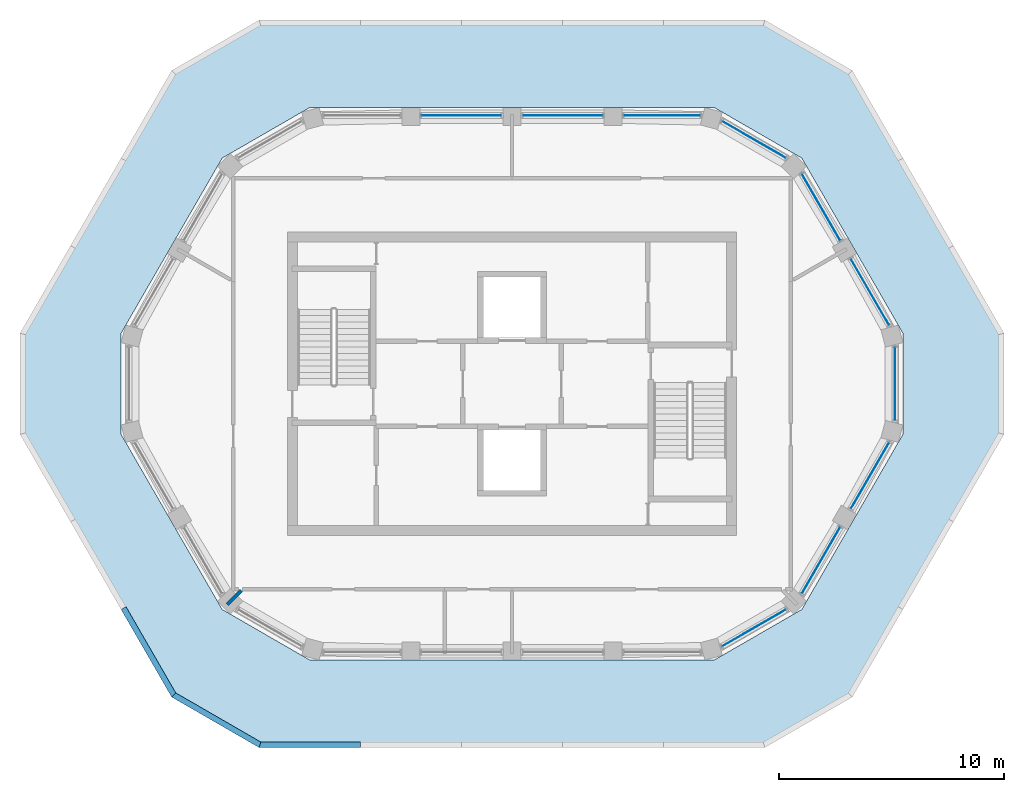
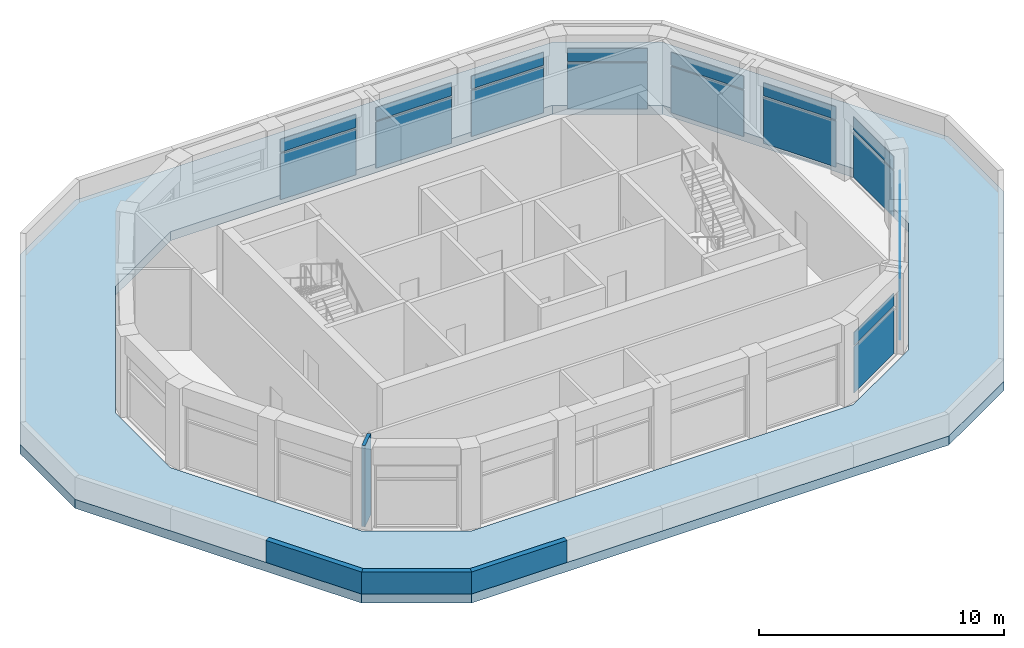
# One storey, part 4 of 8: 20 plates, 4 walls, 1 slab, 10 elements without a shape of their own.
"""IFC4 building model written with IfcOpenShell, lengths in metres."""

from ifc_helpers import new_model, si_unit, direction, frame, frame_2d, origin, origin_2d, place, context, subcontext, project, spatial, polyline, rectangle, outline, extrude, material, layer, layer_set, type_object, element, aggregate, save


model = new_model("IFC4")

# Units and contexts
model_context = context("Model", 3, precision=1e-05, world=origin(), true_north=direction((0.0, 1.0)))
body_context = subcontext(model_context, "Body", "Model", "MODEL_VIEW")
ifc_project = project(units=[si_unit("LENGTHUNIT", "METRE"), si_unit("AREAUNIT", "SQUARE_METRE"), si_unit("VOLUMEUNIT", "CUBIC_METRE"), si_unit("PLANEANGLEUNIT", "RADIAN"), si_unit("MASSUNIT", "GRAM", prefix="KILO")], contexts=[model_context])

# Site, building, storey
site_placement = place(None, origin())
site = spatial("IfcSite", under=ifc_project, at=site_placement, CompositionType="ELEMENT")
building_placement = place(site_placement, origin())
building = spatial("IfcBuilding", under=site, at=building_placement, Name="Dhurran Vertical Campus", CompositionType="ELEMENT")
storey_placement = place(building_placement, frame((0.0, 0.0, 323.39990234375)))
storey = spatial("IfcBuildingStorey", under=building, at=storey_placement, Name="L79 Plant", CompositionType="ELEMENT", Elevation=323.39990234375)

# Curtain wall, plates
ifc_material_1 = material(Name="Aluminium frame with solar-control glass", Category="aluminium")
ifc_layer_1 = layer(ifc_material_1, 0.260009765625)
ifc_layer_set_1 = layer_set([ifc_layer_1], Name="Aluminium frame with solar-control glass")
curtain_wall_type = type_object("IfcCurtainWallType", Name="Crown lantern glazing system", PredefinedType="NOTDEFINED", material=ifc_layer_set_1)
curtain_wall_1_placement = place(storey_placement, origin())
curtain_wall_1 = element("IfcCurtainWall", 1, at=curtain_wall_1_placement, inside=storey, type_object=curtain_wall_type, Name="CW6 L79.04", PredefinedType="NOTDEFINED")
ifc_material_2 = material(Name="Clear solar-control glass", Category="glass")
ifc_layer_2 = layer(ifc_material_2, 0.028076171875)
ifc_layer_set_2 = layer_set([ifc_layer_2], Name="Clear solar-control glass")
plate_type = type_object("IfcPlateType", Name="Crown lantern glazing system panel", PredefinedType="CURTAIN_PANEL", material=ifc_layer_set_2)
plate_1_placement = place(storey_placement, frame((10.7734375, -10.8662109375, 0.070068359375), z_axis=(0.0, 0.0, 1.0), x_axis=(0.866030482447, 0.499991203395, 0.0)))
plate_1 = element("IfcPlate", 2, at=plate_1_placement, type_object=plate_type, Name="CW6 panel 1.1", PredefinedType="CURTAIN_PANEL", context=body_context, shape_type="SweptSolid", body=[
    extrude(rectangle(XDim=3.263427734375, YDim=0.028076171875, at=origin_2d()), origin(), (0.0, 0.0, 1.0), 2.294921875),
])
plate_2_placement = place(storey_placement, frame((10.7734375, -10.8662109375, 2.43505859375), z_axis=(0.0, 0.0, 1.0), x_axis=(0.866030482447, 0.499991203395, 0.0)))
plate_2 = element("IfcPlate", 3, at=plate_2_placement, type_object=plate_type, Name="CW6 panel 1.2", PredefinedType="CURTAIN_PANEL", context=body_context, shape_type="SweptSolid", body=[
    extrude(rectangle(XDim=3.263427734375, YDim=0.028076171875, at=origin_2d()), origin(), (0.0, 0.0, 1.0), 0.64501953125),
])
aggregate(curtain_wall_1, [plate_1, plate_2])

curtain_wall_2_placement = place(storey_placement, origin())
curtain_wall_2 = element("IfcCurtainWall", 4, at=curtain_wall_2_placement, inside=storey, type_object=curtain_wall_type, Name="CW6 L79.05", PredefinedType="NOTDEFINED")
plate_3_placement = place(storey_placement, frame((13.756103515625, -7.856689453125, 0.070068359375), z_axis=(0.0, 0.0, 1.0), x_axis=(0.500015780395, 0.866016292778, 0.0)))
plate_3 = element("IfcPlate", 5, at=plate_3_placement, type_object=plate_type, Name="CW6 panel 1.1", PredefinedType="CURTAIN_PANEL", context=body_context, shape_type="SweptSolid", body=[
    extrude(rectangle(XDim=3.4111328125, YDim=0.028076171875, at=origin_2d()), origin(), (0.0, 0.0, 1.0), 2.294921875),
])
plate_4_placement = place(storey_placement, frame((13.756103515625, -7.856689453125, 2.43505859375), z_axis=(0.0, 0.0, 1.0), x_axis=(0.500015780395, 0.866016292778, 0.0)))
plate_4 = element("IfcPlate", 6, at=plate_4_placement, type_object=plate_type, Name="CW6 panel 1.2", PredefinedType="CURTAIN_PANEL", context=body_context, shape_type="SweptSolid", body=[
    extrude(rectangle(XDim=3.4111328125, YDim=0.028076171875, at=origin_2d()), origin(), (0.0, 0.0, 1.0), 0.64501953125),
])
aggregate(curtain_wall_2, [plate_3, plate_4])

curtain_wall_3_placement = place(storey_placement, origin())
curtain_wall_3 = element("IfcCurtainWall", 7, at=curtain_wall_3_placement, inside=storey, type_object=curtain_wall_type, Name="CW6 L79.06", PredefinedType="NOTDEFINED")
plate_5_placement = place(storey_placement, frame((15.93212890625, -4.087646484375, 0.070068359375), z_axis=(0.0, 0.0, 1.0), x_axis=(0.499991393271, 0.866030372825, 0.0)))
plate_5 = element("IfcPlate", 8, at=plate_5_placement, type_object=plate_type, Name="CW6 panel 1.1", PredefinedType="CURTAIN_PANEL", context=body_context, shape_type="SweptSolid", body=[
    extrude(rectangle(XDim=3.411376953125, YDim=0.028076171875, at=origin_2d()), origin(), (0.0, 0.0, 1.0), 2.294921875),
])
plate_6_placement = place(storey_placement, frame((15.93212890625, -4.087646484375, 2.43505859375), z_axis=(0.0, 0.0, 1.0), x_axis=(0.499991393271, 0.866030372825, 0.0)))
plate_6 = element("IfcPlate", 9, at=plate_6_placement, type_object=plate_type, Name="CW6 panel 1.2", PredefinedType="CURTAIN_PANEL", context=body_context, shape_type="SweptSolid", body=[
    extrude(rectangle(XDim=3.411376953125, YDim=0.028076171875, at=origin_2d()), origin(), (0.0, 0.0, 1.0), 0.64501953125),
])
aggregate(curtain_wall_3, [plate_5, plate_6])

curtain_wall_4_placement = place(storey_placement, origin())
curtain_wall_4 = element("IfcCurtainWall", 10, at=curtain_wall_4_placement, inside=storey, type_object=curtain_wall_type, Name="CW6 L79.07", PredefinedType="NOTDEFINED")
plate_7_placement = place(storey_placement, frame((17.047119140625, 0.0, 0.070068359375), z_axis=(0.0, 0.0, 1.0), x_axis=(0.0, 1.0, 0.0)))
plate_7 = element("IfcPlate", 11, at=plate_7_placement, type_object=plate_type, Name="CW6 panel 1.1", PredefinedType="CURTAIN_PANEL", context=body_context, shape_type="SweptSolid", body=[
    extrude(rectangle(XDim=3.26318359375, YDim=0.028076171875, at=origin_2d()), origin(), (0.0, 0.0, 1.0), 2.294921875),
])
plate_8_placement = place(storey_placement, frame((17.047119140625, 0.0, 2.43505859375), z_axis=(0.0, 0.0, 1.0), x_axis=(0.0, 1.0, 0.0)))
plate_8 = element("IfcPlate", 12, at=plate_8_placement, type_object=plate_type, Name="CW6 panel 1.2", PredefinedType="CURTAIN_PANEL", context=body_context, shape_type="SweptSolid", body=[
    extrude(rectangle(XDim=3.26318359375, YDim=0.028076171875, at=origin_2d()), origin(), (0.0, 0.0, 1.0), 0.64501953125),
])
aggregate(curtain_wall_4, [plate_7, plate_8])

curtain_wall_5_placement = place(storey_placement, origin())
curtain_wall_5 = element("IfcCurtainWall", 13, at=curtain_wall_5_placement, inside=storey, type_object=curtain_wall_type, Name="CW6 L79.08", PredefinedType="NOTDEFINED")
plate_9_placement = place(storey_placement, frame((15.93212890625, 4.087646484375, 0.070068359375), z_axis=(0.0, 0.0, 1.0), x_axis=(-0.499991393271, 0.866030372825, 0.0)))
plate_9 = element("IfcPlate", 14, at=plate_9_placement, type_object=plate_type, Name="CW6 panel 1.1", PredefinedType="CURTAIN_PANEL", context=body_context, shape_type="SweptSolid", body=[
    extrude(rectangle(XDim=3.411376953125, YDim=0.028076171875, at=origin_2d()), origin(), (0.0, 0.0, 1.0), 2.294921875),
])
plate_10_placement = place(storey_placement, frame((15.93212890625, 4.087646484375, 2.43505859375), z_axis=(0.0, 0.0, 1.0), x_axis=(-0.499991393271, 0.866030372825, 0.0)))
plate_10 = element("IfcPlate", 15, at=plate_10_placement, type_object=plate_type, Name="CW6 panel 1.2", PredefinedType="CURTAIN_PANEL", context=body_context, shape_type="SweptSolid", body=[
    extrude(rectangle(XDim=3.411376953125, YDim=0.028076171875, at=origin_2d()), origin(), (0.0, 0.0, 1.0), 0.64501953125),
])
aggregate(curtain_wall_5, [plate_9, plate_10])

curtain_wall_6_placement = place(storey_placement, origin())
curtain_wall_6 = element("IfcCurtainWall", 16, at=curtain_wall_6_placement, inside=storey, type_object=curtain_wall_type, Name="CW6 L79.09", PredefinedType="NOTDEFINED")
plate_11_placement = place(storey_placement, frame((13.756103515625, 7.856689453125, 0.070068359375), z_axis=(0.0, 0.0, 1.0), x_axis=(-0.500015780395, 0.866016292778, 0.0)))
plate_11 = element("IfcPlate", 17, at=plate_11_placement, type_object=plate_type, Name="CW6 panel 1.1", PredefinedType="CURTAIN_PANEL", context=body_context, shape_type="SweptSolid", body=[
    extrude(rectangle(XDim=3.4111328125, YDim=0.028076171875, at=origin_2d()), origin(), (0.0, 0.0, 1.0), 2.294921875),
])
plate_12_placement = place(storey_placement, frame((13.756103515625, 7.856689453125, 2.43505859375), z_axis=(0.0, 0.0, 1.0), x_axis=(-0.500015780395, 0.866016292778, 0.0)))
plate_12 = element("IfcPlate", 18, at=plate_12_placement, type_object=plate_type, Name="CW6 panel 1.2", PredefinedType="CURTAIN_PANEL", context=body_context, shape_type="SweptSolid", body=[
    extrude(rectangle(XDim=3.4111328125, YDim=0.028076171875, at=origin_2d()), origin(), (0.0, 0.0, 1.0), 0.64501953125),
])
aggregate(curtain_wall_6, [plate_11, plate_12])

curtain_wall_7_placement = place(storey_placement, origin())
curtain_wall_7 = element("IfcCurtainWall", 19, at=curtain_wall_7_placement, inside=storey, type_object=curtain_wall_type, Name="CW6 L79.10", PredefinedType="NOTDEFINED")
plate_13_placement = place(storey_placement, frame((10.7734375, 10.8662109375, 0.070068359375), z_axis=(0.0, 0.0, 1.0), x_axis=(-0.866030482447, 0.499991203395, 0.0)))
plate_13 = element("IfcPlate", 20, at=plate_13_placement, type_object=plate_type, Name="CW6 panel 1.1", PredefinedType="CURTAIN_PANEL", context=body_context, shape_type="SweptSolid", body=[
    extrude(rectangle(XDim=3.263427734375, YDim=0.028076171875, at=origin_2d()), origin(), (0.0, 0.0, 1.0), 2.294921875),
])
plate_14_placement = place(storey_placement, frame((10.7734375, 10.8662109375, 2.43505859375), z_axis=(0.0, 0.0, 1.0), x_axis=(-0.866030482447, 0.499991203395, 0.0)))
plate_14 = element("IfcPlate", 21, at=plate_14_placement, type_object=plate_type, Name="CW6 panel 1.2", PredefinedType="CURTAIN_PANEL", context=body_context, shape_type="SweptSolid", body=[
    extrude(rectangle(XDim=3.263427734375, YDim=0.028076171875, at=origin_2d()), origin(), (0.0, 0.0, 1.0), 0.64501953125),
])
aggregate(curtain_wall_7, [plate_13, plate_14])

curtain_wall_8_placement = place(storey_placement, origin())
curtain_wall_8 = element("IfcCurtainWall", 22, at=curtain_wall_8_placement, inside=storey, type_object=curtain_wall_type, Name="CW6 L79.11", PredefinedType="NOTDEFINED")
plate_15_placement = place(storey_placement, frame((6.676025390625, 11.944091796875, 0.070068359375), z_axis=(0.0, 0.0, 1.0), x_axis=(-1.0, 0.0, 0.0)))
plate_15 = element("IfcPlate", 23, at=plate_15_placement, type_object=plate_type, Name="CW6 panel 1.1", PredefinedType="CURTAIN_PANEL", context=body_context, shape_type="SweptSolid", body=[
    extrude(rectangle(XDim=3.4111328125, YDim=0.028076171875, at=origin_2d()), origin(), (0.0, 0.0, 1.0), 2.294921875),
])
plate_16_placement = place(storey_placement, frame((6.676025390625, 11.944091796875, 2.43505859375), z_axis=(0.0, 0.0, 1.0), x_axis=(-1.0, 0.0, 0.0)))
plate_16 = element("IfcPlate", 24, at=plate_16_placement, type_object=plate_type, Name="CW6 panel 1.2", PredefinedType="CURTAIN_PANEL", context=body_context, shape_type="SweptSolid", body=[
    extrude(rectangle(XDim=3.4111328125, YDim=0.028076171875, at=origin_2d()), origin(), (0.0, 0.0, 1.0), 0.64501953125),
])
aggregate(curtain_wall_8, [plate_15, plate_16])

curtain_wall_9_placement = place(storey_placement, origin())
curtain_wall_9 = element("IfcCurtainWall", 25, at=curtain_wall_9_placement, inside=storey, type_object=curtain_wall_type, Name="CW6 L79.12", PredefinedType="NOTDEFINED")
plate_17_placement = place(storey_placement, frame((2.25, 11.944091796875, 0.070068359375), z_axis=(0.0, 0.0, 1.0), x_axis=(-1.0, 0.0, 0.0)))
plate_17 = element("IfcPlate", 26, at=plate_17_placement, type_object=plate_type, Name="CW6 panel 1.1", PredefinedType="CURTAIN_PANEL", context=body_context, shape_type="SweptSolid", body=[
    extrude(rectangle(XDim=3.55908203125, YDim=0.028076171875, at=origin_2d()), origin(), (0.0, 0.0, 1.0), 2.294921875),
])
plate_18_placement = place(storey_placement, frame((2.25, 11.944091796875, 2.43505859375), z_axis=(0.0, 0.0, 1.0), x_axis=(-1.0, 0.0, 0.0)))
plate_18 = element("IfcPlate", 27, at=plate_18_placement, type_object=plate_type, Name="CW6 panel 1.2", PredefinedType="CURTAIN_PANEL", context=body_context, shape_type="SweptSolid", body=[
    extrude(rectangle(XDim=3.55908203125, YDim=0.028076171875, at=origin_2d()), origin(), (0.0, 0.0, 1.0), 0.64501953125),
])
aggregate(curtain_wall_9, [plate_17, plate_18])

curtain_wall_10_placement = place(storey_placement, origin())
curtain_wall_10 = element("IfcCurtainWall", 28, at=curtain_wall_10_placement, inside=storey, type_object=curtain_wall_type, Name="CW6 L79.13", PredefinedType="NOTDEFINED")
plate_19_placement = place(storey_placement, frame((-2.25, 11.944091796875, 0.070068359375), z_axis=(0.0, 0.0, 1.0), x_axis=(-1.0, 0.0, 0.0)))
plate_19 = element("IfcPlate", 29, at=plate_19_placement, type_object=plate_type, Name="CW6 panel 1.1", PredefinedType="CURTAIN_PANEL", context=body_context, shape_type="SweptSolid", body=[
    extrude(rectangle(XDim=3.55908203125, YDim=0.028076171875, at=origin_2d()), origin(), (0.0, 0.0, 1.0), 2.294921875),
])
plate_20_placement = place(storey_placement, frame((-2.25, 11.944091796875, 2.43505859375), z_axis=(0.0, 0.0, 1.0), x_axis=(-1.0, 0.0, 0.0)))
plate_20 = element("IfcPlate", 30, at=plate_20_placement, type_object=plate_type, Name="CW6 panel 1.2", PredefinedType="CURTAIN_PANEL", context=body_context, shape_type="SweptSolid", body=[
    extrude(rectangle(XDim=3.55908203125, YDim=0.028076171875, at=origin_2d()), origin(), (0.0, 0.0, 1.0), 0.64501953125),
])
aggregate(curtain_wall_10, [plate_19, plate_20])

# Slab
ifc_material_3 = material(Name="Concrete C40/50", Category="concrete")
ifc_layer_3 = layer(ifc_material_3, 0.449951171875)
ifc_layer_set_3 = layer_set([ifc_layer_3], Name="Concrete C40/50")
slab_type = type_object("IfcSlabType", Name="cr/slab/strip", PredefinedType="ROOF", material=ifc_layer_set_3)
slab_placement = place(storey_placement, frame((0.0, 0.0, -0.449951171875)))
element("IfcSlab", 31, at=slab_placement, inside=storey, type_object=slab_type, Name="Crown roof strip L79", PredefinedType="ROOF", context=body_context, shape_type="SweptSolid", body=[
    extrude(outline(polyline([(-15.14697265625, -13.94091796875), (-11.25, -16.19091796875), (11.25, -16.19091796875), (15.14697265625, -13.94091796875), (21.89697265625, -2.25), (21.89697265625, 2.25), (15.14697265625, 13.94091796875), (11.25, 16.19091796875), (-11.25, 16.19091796875), (-15.14697265625, 13.94091796875), (-21.89697265625, 2.25), (-21.89697265625, -2.25), (-15.14697265625, -13.94091796875)]), holes=[polyline([(9.0, -12.2939453125), (12.89697265625, -10.0439453125), (17.39697265625, -2.25), (17.39697265625, 2.25), (12.89697265625, 10.0439453125), (9.0, 12.2939453125), (-9.0, 12.2939453125), (-12.89697265625, 10.0439453125), (-17.39697265625, 2.25), (-17.39697265625, -2.25), (-12.89697265625, -10.0439453125), (-9.0, -12.2939453125), (9.0, -12.2939453125)])]), origin(), (0.0, 0.0, 1.0), 0.449951171875),
])

# Walls
ifc_material_4 = material(Name="Precast concrete C50/60", Category="concrete")
ifc_layer_4 = layer(ifc_material_4, 0.25)
ifc_layer_set_4 = layer_set([ifc_layer_4], Name="Precast concrete C50/60")
wall_type_1 = type_object("IfcWallType", Name="Precast parapet 250", PredefinedType="PARAPET", material=ifc_layer_set_4)
wall_1_placement = place(storey_placement, origin())
element("IfcWall", 32, at=wall_1_placement, inside=storey, type_object=wall_type_1, Name="PW1 L79.00", PredefinedType="PARAPET", context=body_context, shape_type="SweptSolid", body=[
    extrude(outline(polyline([(-11.25, -16.19140625), (-6.75, -16.19140625), (-6.75, -15.94140625), (-11.18310546875, -15.94140625), (-11.25, -16.19140625)])), origin(), (0.0, 0.0, 1.0), 1.10009765625),
])
wall_2_placement = place(storey_placement, origin())
element("IfcWall", 33, at=wall_2_placement, inside=storey, type_object=wall_type_1, Name="PW1 L79.26", PredefinedType="PARAPET", context=body_context, shape_type="SweptSolid", body=[
    extrude(outline(polyline([(-17.397216796875, -10.044189453125), (-15.147216796875, -13.94140625), (-14.964111328125, -13.75830078125), (-17.1806640625, -9.919189453125), (-17.397216796875, -10.044189453125)])), origin(), (0.0, 0.0, 1.0), 1.10009765625),
])
wall_3_placement = place(storey_placement, origin())
element("IfcWall", 34, at=wall_3_placement, inside=storey, type_object=wall_type_1, Name="PW1 L79.27", PredefinedType="PARAPET", context=body_context, shape_type="SweptSolid", body=[
    extrude(outline(polyline([(-15.147216796875, -13.94140625), (-11.25, -16.19140625), (-11.18310546875, -15.94140625), (-14.964111328125, -13.75830078125), (-15.147216796875, -13.94140625)])), origin(), (0.0, 0.0, 1.0), 1.10009765625),
])
ifc_material_5 = material(Name="Gypsum board partition on steel studs", Category="steel")
ifc_layer_5 = layer(ifc_material_5, 0.14990234375)
ifc_layer_set_5 = layer_set([ifc_layer_5], Name="Gypsum board partition on steel studs")
wall_type_2 = type_object("IfcWallType", Name="fl-PW-150 fixed partition", PredefinedType="PARTITIONING", material=ifc_layer_set_5)
wall_4_placement = place(storey_placement, frame((-12.055908203125, -9.203125, 0.0), z_axis=(0.0, 0.0, 1.0), x_axis=(-0.706689978005, -0.707523338828, 0.0)))
element("IfcWall", 35, at=wall_4_placement, inside=storey, type_object=wall_type_2, Name="Partition 79-02", PredefinedType="PARTITIONING", context=body_context, shape_type="SweptSolid", body=[
    extrude(rectangle(XDim=0.87890625, YDim=0.14990234375, at=frame_2d((0.439453125, 0.0))), origin(), (0.0, 0.0, 1.0), 4.050048828125),
])

save(model, "model.ifc")
